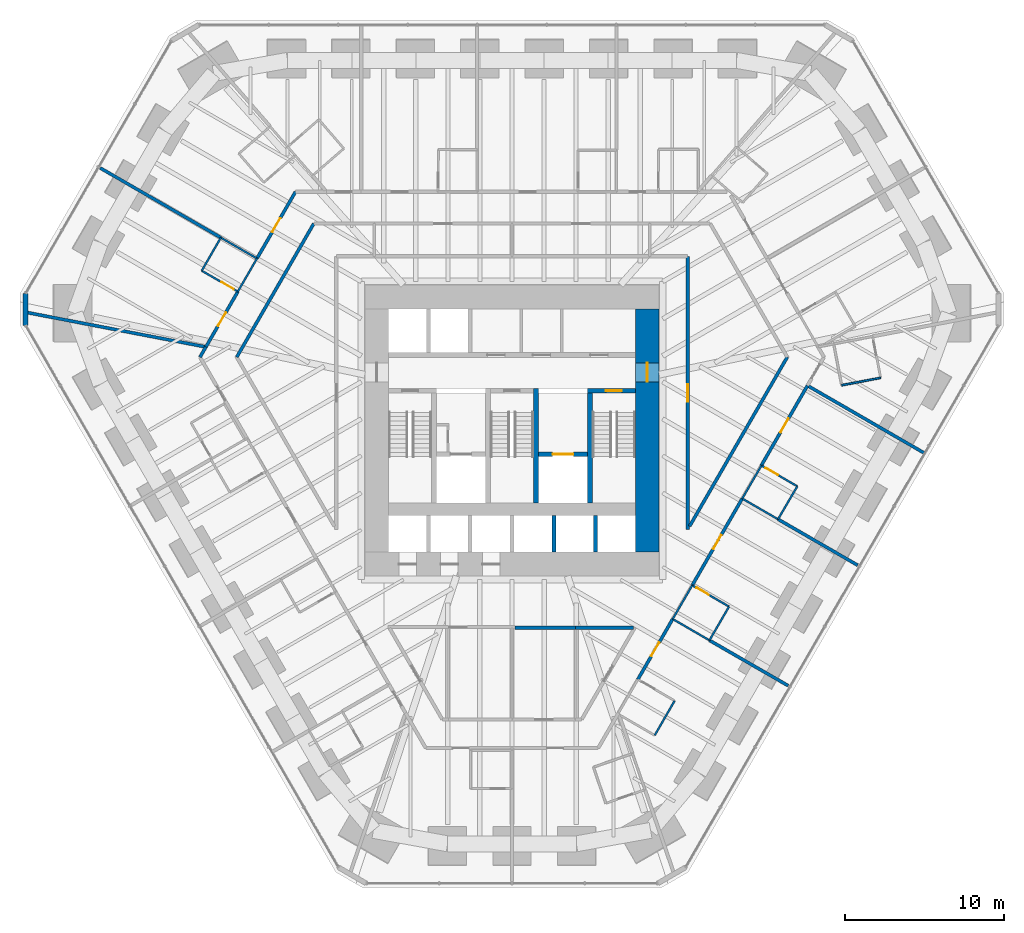
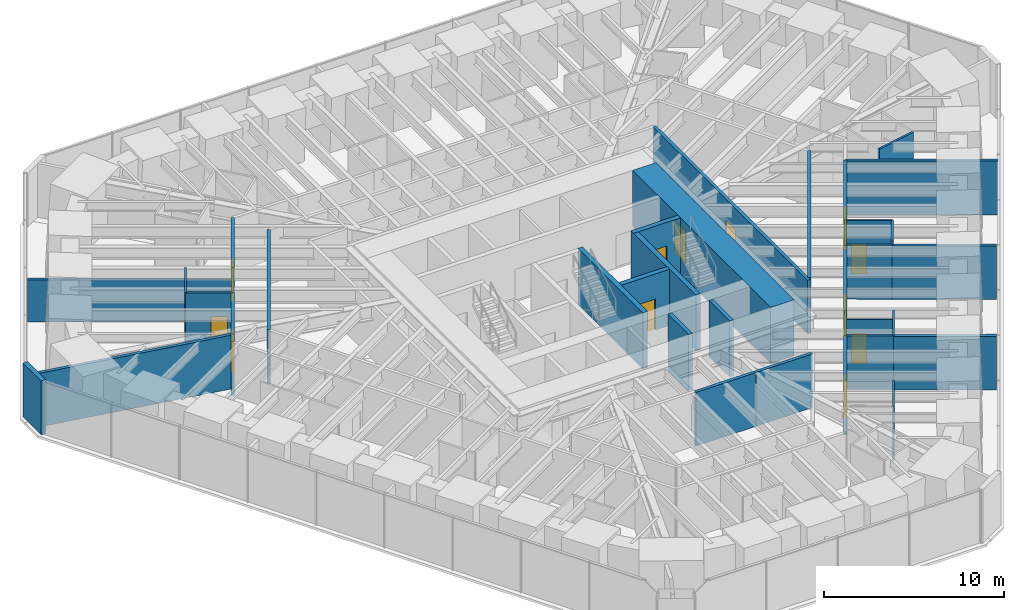
# One storey, part 13 of 17: 38 walls, 12 doors, 12 openings.
"""IFC4 building model written with IfcOpenShell, lengths in metres."""

from ifc_helpers import new_model, si_unit, direction, frame, frame_2d, origin, place, context, subcontext, project, spatial, rectangle, extrude, material, layer, layer_set, type_object, element, fill, save


model = new_model("IFC4")

# Units and contexts
model_context = context("Model", 3, precision=1e-05, world=origin(), true_north=direction((0.0, 1.0)))
body_context = subcontext(model_context, "Body", "Model", "MODEL_VIEW")
ifc_project = project(units=[si_unit("LENGTHUNIT", "METRE"), si_unit("AREAUNIT", "SQUARE_METRE"), si_unit("VOLUMEUNIT", "CUBIC_METRE"), si_unit("PLANEANGLEUNIT", "RADIAN"), si_unit("MASSUNIT", "GRAM", prefix="KILO")], contexts=[model_context])

# Site, building, storey
site_placement = place(None, origin())
site = spatial("IfcSite", under=ifc_project, at=site_placement, CompositionType="ELEMENT")
building_placement = place(site_placement, origin())
building = spatial("IfcBuilding", under=site, at=building_placement, Name="Sandreach Pilgrim Tower", CompositionType="ELEMENT")
storey_placement = place(building_placement, frame((0.0, 0.0, 80.0)))
storey = spatial("IfcBuildingStorey", under=building, at=storey_placement, Name="L19", CompositionType="ELEMENT", Elevation=80.0)

# Wall, opening, door
ifc_material_1 = material(Name="Moisture-resistant gypsum board on steel studs", Category="steel")
ifc_layer_1 = layer(ifc_material_1, 0.1201171875)
ifc_layer_set_1 = layer_set([ifc_layer_1], Name="Bathroom partition 120")
wall_type_1 = type_object("IfcWallType", Name="Bathroom partition 120", PredefinedType="PARTITIONING", material=ifc_layer_set_1)
wall_1_placement = place(storey_placement, frame((-19.5, 8.489990234375, 0.0), z_axis=(0.0, 0.0, 1.0), x_axis=(0.866114241029, -0.499846097802, 0.0)))
wall_1 = element("IfcWall", 1, at=wall_1_placement, inside=storey, type_object=wall_type_1, Name="Bathroom partition L19-009", PredefinedType="PARTITIONING", context=body_context, shape_type="SweptSolid", body=[
    extrude(rectangle(XDim=2.620849609375, YDim=0.1201171875, at=frame_2d((1.310546875, 0.0))), origin(), (0.0, 0.0, 1.0), 3.639892578125),
])
opening_1_placement = place(wall_1_placement, frame((1.4208984375, 0.0, 0.0)))
opening_1 = element("IfcOpeningElement", 2, at=opening_1_placement, cuts=wall_1, Name="Opening D09-17B", PredefinedType="OPENING", context=body_context, shape_type="SweptSolid", body=[
    extrude(rectangle(XDim=0.89990234375, YDim=2.030029296875, at=frame_2d((0.449951171875, 1.01513671875))), frame((0.0, 0.06005859375, 0.0), z_axis=(0.0, -1.0, 0.0), x_axis=(1.0, 0.0, 0.0)), (0.0, 0.0, 1.0), 0.1201171875),
])
ifc_material_2 = material(Name="Timber door, steel frame", Category="steel")
door_type_1 = type_object("IfcDoorType", Name="Bathroom door", OperationType="SINGLE_SWING_LEFT", PredefinedType="DOOR", material=ifc_material_2)
door_1_placement = place(opening_1_placement, origin())
door_1 = element("IfcDoor", 3, at=door_1_placement, inside=storey, type_object=door_type_1, Name="Door 1917B", OperationType="SINGLE_SWING_RIGHT", OverallHeight=2.030029296875, OverallWidth=0.89990234375, PredefinedType="DOOR", context=body_context, shape_type="SweptSolid", body=[
    extrude(rectangle(XDim=0.89990234375, YDim=2.030029296875, at=frame_2d((0.449951171875, 1.01513671875))), frame((0.0, 0.02490234375, 0.0), z_axis=(0.0, -1.0, 0.0), x_axis=(1.0, 0.0, 0.0)), (0.0, 0.0, 1.0), 0.050048828125),
])
fill(opening_1, door_1)

# Walls
wall_2_placement = place(storey_placement, frame((-18.300048828125, 10.570068359375, 0.0), z_axis=(0.0, 0.0, 1.0), x_axis=(-0.499693115345, -0.866202511239, 0.0)))
element("IfcWall", 4, at=wall_2_placement, inside=storey, type_object=wall_type_1, Name="Bathroom partition L19-013", PredefinedType="PARTITIONING", context=body_context, shape_type="SweptSolid", body=[
    extrude(rectangle(XDim=2.4013671875, YDim=0.1201171875, at=frame_2d((1.20068359375, 0.0))), origin(), (0.0, 0.0, 1.0), 3.639892578125),
])
wall_3_placement = place(storey_placement, frame((-18.300048828125, 10.570068359375, 0.0), z_axis=(0.0, 0.0, 1.0), x_axis=(0.866114241029, -0.499846097802, 0.0)))
element("IfcWall", 5, at=wall_3_placement, inside=storey, type_object=wall_type_1, Name="Bathroom partition L19-014", PredefinedType="PARTITIONING", context=body_context, shape_type="SweptSolid", body=[
    extrude(rectangle(XDim=2.620849609375, YDim=0.1201171875, at=frame_2d((1.310546875, 0.0))), origin(), (0.0, 0.0, 1.0), 2.860107421875),
])
wall_4_placement = place(storey_placement, frame((-17.22998046875, 7.179931640625, 0.0), z_axis=(0.0, 0.0, 1.0), x_axis=(0.500009943768, 0.866019662671, 0.0)))
element("IfcWall", 6, at=wall_4_placement, inside=storey, type_object=wall_type_1, Name="Bathroom partition L19-018", PredefinedType="PARTITIONING", context=body_context, shape_type="SweptSolid", body=[
    extrude(rectangle(XDim=2.4013671875, YDim=0.1201171875, at=frame_2d((1.20068359375, 0.0))), origin(), (0.0, 0.0, 1.0), 3.639892578125),
])
wall_5_placement = place(storey_placement, frame((8.969970703125, -20.7099609375, 0.0), z_axis=(0.0, 0.0, 1.0), x_axis=(0.499159685399, 0.866510016372, 0.0)))
element("IfcWall", 7, at=wall_5_placement, inside=storey, type_object=wall_type_1, Name="Bathroom partition L19-105", PredefinedType="PARTITIONING", context=body_context, shape_type="SweptSolid", body=[
    extrude(rectangle(XDim=2.504150390625, YDim=0.1201171875, at=frame_2d((1.251953125, 0.0))), origin(), (0.0, 0.0, 1.0), 3.639892578125),
])
wall_6_placement = place(storey_placement, frame((10.10009765625, -13.39990234375, 0.0), z_axis=(0.0, 0.0, 1.0), x_axis=(0.501856726365, 0.86495076519, 0.0)))
element("IfcWall", 8, at=wall_6_placement, inside=storey, type_object=wall_type_1, Name="Bathroom partition L19-108", PredefinedType="PARTITIONING", context=body_context, shape_type="SweptSolid", body=[
    extrude(rectangle(XDim=2.450927734375, YDim=0.1201171875, at=frame_2d((1.2255859375, 0.0))), origin(), (0.0, 0.0, 1.0), 3.639892578125),
])
wall_7_placement = place(storey_placement, frame((10.10009765625, -13.39990234375, 0.0), z_axis=(0.0, 0.0, 1.0), x_axis=(0.864966903181, -0.501828911485, 0.0)))
element("IfcWall", 9, at=wall_7_placement, inside=storey, type_object=wall_type_1, Name="Bathroom partition L19-109", PredefinedType="PARTITIONING", context=body_context, shape_type="SweptSolid", body=[
    extrude(rectangle(XDim=2.67041015625, YDim=0.1201171875, at=frame_2d((1.335205078125, 0.0))), origin(), (0.0, 0.0, 1.0), 3.639892578125),
])
wall_8_placement = place(storey_placement, frame((12.409912109375, -14.739990234375, 0.0), z_axis=(0.0, 0.0, 1.0), x_axis=(0.501813488763, 0.864975850817, 0.0)))
element("IfcWall", 10, at=wall_8_placement, inside=storey, type_object=wall_type_1, Name="Bathroom partition L19-118", PredefinedType="PARTITIONING", context=body_context, shape_type="SweptSolid", body=[
    extrude(rectangle(XDim=2.451171875, YDim=0.1201171875, at=frame_2d((1.2255859375, 0.0))), origin(), (0.0, 0.0, 1.0), 3.639892578125),
])

# Wall, opening, door
wall_9_placement = place(storey_placement, frame((13.639892578125, -12.6201171875, 0.0), z_axis=(0.0, 0.0, 1.0), x_axis=(-0.864966903181, 0.501828911485, 0.0)))
wall_9 = element("IfcWall", 11, at=wall_9_placement, inside=storey, type_object=wall_type_1, Name="Bathroom partition L19-123", PredefinedType="PARTITIONING", context=body_context, shape_type="SweptSolid", body=[
    extrude(rectangle(XDim=2.67041015625, YDim=0.1201171875, at=frame_2d((1.335205078125, 0.0))), origin(), (0.0, 0.0, 1.0), 3.0380859375),
])
opening_2_placement = place(wall_9_placement, frame((1.470458984375, 0.0, 0.0)))
opening_2 = element("IfcOpeningElement", 12, at=opening_2_placement, cuts=wall_9, Name="Opening D09-09B", PredefinedType="OPENING", context=body_context, shape_type="SweptSolid", body=[
    extrude(rectangle(XDim=0.89990234375, YDim=2.030029296875, at=frame_2d((0.449951171875, 1.01513671875))), frame((0.0, 0.06005859375, 0.0), z_axis=(0.0, -1.0, 0.0), x_axis=(1.0, 0.0, 0.0)), (0.0, 0.0, 1.0), 0.1201171875),
])
door_2_placement = place(opening_2_placement, origin())
door_2 = element("IfcDoor", 13, at=door_2_placement, inside=storey, type_object=door_type_1, Name="Door 1909B", OperationType="SINGLE_SWING_RIGHT", OverallHeight=2.030029296875, OverallWidth=0.89990234375, PredefinedType="DOOR", context=body_context, shape_type="SweptSolid", body=[
    extrude(rectangle(XDim=0.89990234375, YDim=2.030029296875, at=frame_2d((0.449951171875, 1.01513671875))), frame((0.0, 0.02490234375, 0.0), z_axis=(0.0, -1.0, 0.0), x_axis=(1.0, 0.0, 0.0)), (0.0, 0.0, 1.0), 0.050048828125),
])
fill(opening_2, door_2)

# Walls
wall_10_placement = place(storey_placement, frame((14.469970703125, -5.830078125, 0.0), z_axis=(0.0, 0.0, 1.0), x_axis=(0.865856933682, -0.500291685314, 0.0)))
element("IfcWall", 14, at=wall_10_placement, inside=storey, type_object=wall_type_1, Name="Bathroom partition L19-126", PredefinedType="PARTITIONING", context=body_context, shape_type="SweptSolid", body=[
    extrude(rectangle(XDim=2.5986328125, YDim=0.1201171875, at=frame_2d((1.29931640625, 0.0))), origin(), (0.0, 0.0, 1.0), 3.639892578125),
])
wall_11_placement = place(storey_placement, frame((15.679931640625, -3.75, 0.0), z_axis=(0.0, 0.0, 1.0), x_axis=(-0.502810888564, -0.864396442809, 0.0)))
element("IfcWall", 15, at=wall_11_placement, inside=storey, type_object=wall_type_1, Name="Bathroom partition L19-129", PredefinedType="PARTITIONING", context=body_context, shape_type="SweptSolid", body=[
    extrude(rectangle(XDim=2.406494140625, YDim=0.1201171875, at=frame_2d((1.203125, 0.0))), origin(), (0.0, 0.0, 1.0), 3.639892578125),
])
wall_12_placement = place(storey_placement, frame((16.719970703125, -7.1298828125, 0.0), z_axis=(0.0, 0.0, 1.0), x_axis=(0.504668565454, 0.863313175529, 0.0)))
element("IfcWall", 16, at=wall_12_placement, inside=storey, type_object=wall_type_1, Name="Bathroom partition L19-132", PredefinedType="PARTITIONING", context=body_context, shape_type="SweptSolid", body=[
    extrude(rectangle(XDim=2.3974609375, YDim=0.1201171875, at=frame_2d((1.19873046875, 0.0))), origin(), (0.0, 0.0, 1.0), 3.639892578125),
])

# Wall, opening, door
wall_13_placement = place(storey_placement, frame((17.929931640625, -5.06005859375, 0.0), z_axis=(0.0, 0.0, 1.0), x_axis=(-0.864186736834, 0.503171227198, 0.0)))
wall_13 = element("IfcWall", 17, at=wall_13_placement, inside=storey, type_object=wall_type_1, Name="Bathroom partition L19-136", PredefinedType="PARTITIONING", context=body_context, shape_type="SweptSolid", body=[
    extrude(rectangle(XDim=2.603515625, YDim=0.1201171875, at=frame_2d((1.3017578125, 0.0))), origin(), (0.0, 0.0, 1.0), 3.639892578125),
])
opening_3_placement = place(wall_13_placement, frame((1.403564453125, 0.0, 0.0)))
opening_3 = element("IfcOpeningElement", 18, at=opening_3_placement, cuts=wall_13, Name="Opening D09-08B", PredefinedType="OPENING", context=body_context, shape_type="SweptSolid", body=[
    extrude(rectangle(XDim=0.89990234375, YDim=2.030029296875, at=frame_2d((0.449951171875, 1.01513671875))), frame((0.0, 0.06005859375, 0.0), z_axis=(0.0, -1.0, 0.0), x_axis=(1.0, 0.0, 0.0)), (0.0, 0.0, 1.0), 0.1201171875),
])
door_3_placement = place(opening_3_placement, origin())
door_3 = element("IfcDoor", 19, at=door_3_placement, inside=storey, type_object=door_type_1, Name="Door 1908B", OperationType="SINGLE_SWING_RIGHT", OverallHeight=2.030029296875, OverallWidth=0.89990234375, PredefinedType="DOOR", context=body_context, shape_type="SweptSolid", body=[
    extrude(rectangle(XDim=0.89990234375, YDim=2.030029296875, at=frame_2d((0.449951171875, 1.01513671875))), frame((0.0, 0.02490234375, 0.0), z_axis=(0.0, -1.0, 0.0), x_axis=(1.0, 0.0, 0.0)), (0.0, 0.0, 1.0), 0.050048828125),
])
fill(opening_3, door_3)

# Walls
wall_14_placement = place(storey_placement, frame((20.719970703125, 1.2900390625, 0.0), z_axis=(0.0, 0.0, 1.0), x_axis=(0.9820935986, 0.188393639991, 0.0)))
element("IfcWall", 20, at=wall_14_placement, inside=storey, type_object=wall_type_1, Name="Bathroom partition L19-145", PredefinedType="PARTITIONING", context=body_context, shape_type="SweptSolid", body=[
    extrude(rectangle(XDim=2.49462890625, YDim=0.1201171875, at=frame_2d((1.247314453125, 0.0))), origin(), (0.0, 0.0, 1.0), 3.639892578125),
])
ifc_material_3 = material(Name="Concrete 10000 psi", Category="concrete")
ifc_layer_2 = layer(ifc_material_3, 0.300048828125)
ifc_layer_set_2 = layer_set([ifc_layer_2], Name="Core inner wall 300")
wall_type_2 = type_object("IfcWallType", Name="Core inner wall 300", PredefinedType="SHEAR", material=ifc_layer_set_2)
for number, where, z_axis, x_axis, name in (
    (21, (1.5, -6.10009765625, 0.0), (0.0, 0.0, 1.0), (0.0, 1.0, 0.0), "Core wall I2 L19"),
    (22, (4.89990234375, -6.10009765625, 0.0), (0.0, 0.0, 1.0), (0.0, 1.0, 0.0), "Core wall I3 L19"),
):
    element("IfcWall", number, at=place(storey_placement, frame(where, z_axis=z_axis, x_axis=x_axis)), inside=storey, type_object=wall_type_2, Name=name, PredefinedType="SHEAR", context=body_context, shape_type="SweptSolid", body=[
        extrude(rectangle(XDim=7.2001953125, YDim=0.300048828125, at=frame_2d((3.60009765625, 0.0))), origin(), (0.0, 0.0, 1.0), 3.800048828125),
    ])

# Wall, opening, door
wall_15_placement = place(storey_placement, frame((4.75, 0.949951171875, 0.0), z_axis=(0.0, 0.0, 1.0), x_axis=(1.0, 0.0, 0.0)))
wall_15 = element("IfcWall", 23, at=wall_15_placement, inside=storey, type_object=wall_type_2, Name="Core wall SN2 L19", PredefinedType="SHEAR", context=body_context, shape_type="SweptSolid", body=[
    extrude(rectangle(XDim=3.0, YDim=0.300048828125, at=frame_2d((1.5, 0.0))), origin(), (0.0, 0.0, 1.0), 3.800048828125),
])
opening_4_placement = place(wall_15_placement, frame((1.14990234375, 0.0, 0.0)))
opening_4 = element("IfcOpeningElement", 24, at=opening_4_placement, cuts=wall_15, Name="Opening D10S-ST2", PredefinedType="OPENING", context=body_context, shape_type="SweptSolid", body=[
    extrude(rectangle(XDim=1.0, YDim=2.199951171875, at=frame_2d((0.5, 1.10009765625))), frame((0.0, 0.14990234375, 0.0), z_axis=(0.0, -1.0, 0.0), x_axis=(1.0, 0.0, 0.0)), (0.0, 0.0, 1.0), 0.300048828125),
])
ifc_material_4 = material(Name="Steel door and frame", Category="steel")
door_type_2 = type_object("IfcDoorType", Name="Stair door", OperationType="SINGLE_SWING_LEFT", PredefinedType="DOOR", material=ifc_material_4)
door_4_placement = place(opening_4_placement, origin())
door_4 = element("IfcDoor", 25, at=door_4_placement, inside=storey, type_object=door_type_2, Name="Stair door ST2 L19", OperationType="SINGLE_SWING_RIGHT", OverallHeight=2.199951171875, OverallWidth=1.0, PredefinedType="DOOR", context=body_context, shape_type="SweptSolid", body=[
    extrude(rectangle(XDim=1.0, YDim=2.199951171875, at=frame_2d((0.5, 1.10009765625))), frame((0.0, 0.02490234375, 0.0), z_axis=(0.0, -1.0, 0.0), x_axis=(1.0, 0.0, 0.0)), (0.0, 0.0, 1.0), 0.050048828125),
])
fill(opening_4, door_4)

wall_16_placement = place(storey_placement, frame((1.64990234375, -3.050048828125, 0.0), z_axis=(0.0, 0.0, 1.0), x_axis=(1.0, 0.0, 0.0)))
wall_16 = element("IfcWall", 26, at=wall_16_placement, inside=storey, type_object=wall_type_2, Name="Core wall FL2 L19", PredefinedType="SHEAR", context=body_context, shape_type="SweptSolid", body=[
    extrude(rectangle(XDim=3.10009765625, YDim=0.300048828125, at=frame_2d((1.550048828125, 0.0))), origin(), (0.0, 0.0, 1.0), 3.800048828125),
])
opening_5_placement = place(wall_16_placement, frame((0.89990234375, 0.0, 0.0)))
opening_5 = element("IfcOpeningElement", 27, at=opening_5_placement, cuts=wall_16, Name="Opening LD13", PredefinedType="OPENING", context=body_context, shape_type="SweptSolid", body=[
    extrude(rectangle(XDim=1.300048828125, YDim=2.10009765625, at=frame_2d((0.64990234375, 1.050048828125))), frame((0.0, 0.14990234375, 0.0), z_axis=(0.0, -1.0, 0.0), x_axis=(1.0, 0.0, 0.0)), (0.0, 0.0, 1.0), 0.300048828125),
])
ifc_material_5 = material(Name="Steel door and frame", Category="steel")
door_type_3 = type_object("IfcDoorType", Name="Fire service lift landing door", OperationType="DOUBLE_DOOR_SLIDING", PredefinedType="DOOR", material=ifc_material_5)
door_5_placement = place(opening_5_placement, origin())
door_5 = element("IfcDoor", 28, at=door_5_placement, inside=storey, type_object=door_type_3, Name="Lift landing door FS2 L19", OperationType="DOUBLE_DOOR_SLIDING", OverallHeight=2.10009765625, OverallWidth=1.300048828125, PredefinedType="DOOR", context=body_context, shape_type="SweptSolid", body=[
    extrude(rectangle(XDim=1.300048828125, YDim=2.10009765625, at=frame_2d((0.64990234375, 1.050048828125))), frame((0.0, 0.02490234375, 0.0), z_axis=(0.0, -1.0, 0.0), x_axis=(1.0, 0.0, 0.0)), (0.0, 0.0, 1.0), 0.050048828125),
])
fill(opening_5, door_5)

ifc_material_6 = material(Name="Concrete 10000 psi", Category="concrete")
ifc_layer_3 = layer(ifc_material_6, 1.5)
ifc_layer_set_3 = layer_set([ifc_layer_3], Name="Core wall 1500")
wall_type_3 = type_object("IfcWallType", Name="Core wall 1500", PredefinedType="SHEAR", material=ifc_layer_set_3)
wall_17_placement = place(storey_placement, frame((8.5, -9.199951171875, 0.0), z_axis=(0.0, 0.0, 1.0), x_axis=(0.0, 1.0, 0.0)))
wall_17 = element("IfcWall", 29, at=wall_17_placement, inside=storey, type_object=wall_type_3, Name="Core wall E L19", PredefinedType="SHEAR", context=body_context, shape_type="SweptSolid", body=[
    extrude(rectangle(XDim=15.300048828125, YDim=1.5, at=frame_2d((7.64990234375, 0.0))), origin(), (0.0, 0.0, 1.0), 3.800048828125),
])
opening_6_placement = place(wall_17_placement, frame((10.699951171875, 0.0, 0.0)))
opening_6 = element("IfcOpeningElement", 30, at=opening_6_placement, cuts=wall_17, Name="Opening D12F-E", PredefinedType="OPENING", context=body_context, shape_type="SweptSolid", body=[
    extrude(rectangle(XDim=1.199951171875, YDim=2.199951171875, at=frame_2d((0.60009765625, 1.10009765625))), frame((0.0, 0.75, 0.0), z_axis=(0.0, -1.0, 0.0), x_axis=(1.0, 0.0, 0.0)), (0.0, 0.0, 1.0), 1.5),
])
ifc_material_7 = material(Name="Steel door and frame", Category="steel")
door_type_4 = type_object("IfcDoorType", Name="Fire lobby door", OperationType="SINGLE_SWING_LEFT", PredefinedType="DOOR", material=ifc_material_7)
door_6_placement = place(opening_6_placement, origin())
door_6 = element("IfcDoor", 31, at=door_6_placement, inside=storey, type_object=door_type_4, Name="Fire service lobby door E L19", OperationType="SINGLE_SWING_RIGHT", OverallHeight=2.199951171875, OverallWidth=1.199951171875, PredefinedType="DOOR", context=body_context, shape_type="SweptSolid", body=[
    extrude(rectangle(XDim=1.199951171875, YDim=2.199951171875, at=frame_2d((0.60009765625, 1.10009765625))), frame((0.0, 0.02490234375, 0.0), z_axis=(0.0, -1.0, 0.0), x_axis=(1.0, 0.0, 0.0)), (0.0, 0.0, 1.0), 0.050048828125),
])
fill(opening_6, door_6)

# Wall
ifc_material_8 = material(Name="Gypsum board on steel studs, two layers each side", Category="steel")
ifc_layer_4 = layer(ifc_material_8, 0.199951171875)
ifc_layer_set_4 = layer_set([ifc_layer_4], Name="Corridor wall 200")
wall_type_4 = type_object("IfcWallType", Name="Corridor wall 200", PredefinedType="PARTITIONING", material=ifc_layer_set_4)
wall_18_placement = place(storey_placement, frame((-19.610107421875, 3.06005859375, 0.0), z_axis=(0.0, 0.0, 1.0), x_axis=(0.50068472101, 0.865629718844, 0.0)))
element("IfcWall", 32, at=wall_18_placement, inside=storey, type_object=wall_type_4, Name="Corridor wall L19-006", PredefinedType="PARTITIONING", context=body_context, shape_type="SweptSolid", body=[
    extrude(rectangle(XDim=0.7392578125, YDim=0.199951171875, at=frame_2d((0.36962890625, 0.0))), origin(), (0.0, 0.0, 1.0), 3.639892578125),
])

# Wall, opening, door
wall_19_placement = place(storey_placement, frame((-19.239990234375, 3.699951171875, 0.0), z_axis=(0.0, 0.0, 1.0), x_axis=(0.500157149565, 0.865934654428, 0.0)))
wall_19 = element("IfcWall", 33, at=wall_19_placement, inside=storey, type_object=wall_type_4, Name="Corridor wall L19-010", PredefinedType="PARTITIONING", context=body_context, shape_type="SweptSolid", body=[
    extrude(rectangle(XDim=4.018798828125, YDim=0.199951171875, at=frame_2d((2.00927734375, 0.0))), origin(), (0.0, 0.0, 1.0), 3.639892578125),
])
opening_7_placement = place(wall_19_placement, frame((1.509521484375, 0.0, 0.0)))
opening_7 = element("IfcOpeningElement", 34, at=opening_7_placement, cuts=wall_19, Name="Opening D10-17", PredefinedType="OPENING", context=body_context, shape_type="SweptSolid", body=[
    extrude(rectangle(XDim=1.0, YDim=2.1298828125, at=frame_2d((0.5, 1.06494140625))), frame((0.0, 0.10009765625, 0.0), z_axis=(0.0, -1.0, 0.0), x_axis=(1.0, 0.0, 0.0)), (0.0, 0.0, 1.0), 0.199951171875),
])
ifc_material_9 = material(Name="Steel door and frame", Category="steel")
door_type_5 = type_object("IfcDoorType", Name="Guest room entry door", OperationType="SINGLE_SWING_LEFT", PredefinedType="DOOR", material=ifc_material_9)
door_7_placement = place(opening_7_placement, origin())
door_7 = element("IfcDoor", 35, at=door_7_placement, inside=storey, type_object=door_type_5, Name="Door 1917", OperationType="SINGLE_SWING_LEFT", OverallHeight=2.1298828125, OverallWidth=1.0, PredefinedType="DOOR", context=body_context, shape_type="SweptSolid", body=[
    extrude(rectangle(XDim=1.0, YDim=2.1298828125, at=frame_2d((0.5, 1.06494140625))), frame((0.0, 0.02490234375, 0.0), z_axis=(0.0, -1.0, 0.0), x_axis=(1.0, 0.0, 0.0)), (0.0, 0.0, 1.0), 0.050048828125),
])
fill(opening_7, door_7)

# Wall
wall_20_placement = place(storey_placement, frame((-17.300048828125, 3.06005859375, 0.0), z_axis=(0.0, 0.0, 1.0), x_axis=(0.499704269421, 0.866196076603, 0.0)))
element("IfcWall", 36, at=wall_20_placement, inside=storey, type_object=wall_type_4, Name="Corridor wall L19-017", PredefinedType="PARTITIONING", context=body_context, shape_type="SweptSolid", body=[
    extrude(rectangle(XDim=9.685791015625, YDim=0.199951171875, at=frame_2d((4.8427734375, 0.0))), origin(), (0.0, 0.0, 1.0), 3.639892578125),
])

# Wall, opening, door
wall_21_placement = place(storey_placement, frame((-16.029296875, 9.259521484375, 0.0), z_axis=(0.0, 0.0, 1.0), x_axis=(0.499975779801, 0.866039386871, 0.0)))
wall_21 = element("IfcWall", 37, at=wall_21_placement, inside=storey, type_object=wall_type_4, Name="Corridor wall L19-023", PredefinedType="PARTITIONING", context=body_context, shape_type="SweptSolid", body=[
    extrude(rectangle(XDim=4.838623046875, YDim=0.199951171875, at=frame_2d((2.41943359375, 0.0))), origin(), (0.0, 0.0, 1.0), 3.639892578125),
])
opening_8_placement = place(wall_21_placement, frame((1.919189453125, 0.0, 0.0)))
opening_8 = element("IfcOpeningElement", 38, at=opening_8_placement, cuts=wall_21, Name="Opening D10-18", PredefinedType="OPENING", context=body_context, shape_type="SweptSolid", body=[
    extrude(rectangle(XDim=1.0, YDim=2.1298828125, at=frame_2d((0.5, 1.06494140625))), frame((0.0, 0.10009765625, 0.0), z_axis=(0.0, -1.0, 0.0), x_axis=(1.0, 0.0, 0.0)), (0.0, 0.0, 1.0), 0.199951171875),
])
door_8_placement = place(opening_8_placement, origin())
door_8 = element("IfcDoor", 39, at=door_8_placement, inside=storey, type_object=door_type_5, Name="Door 1918", OperationType="SINGLE_SWING_LEFT", OverallHeight=2.1298828125, OverallWidth=1.0, PredefinedType="DOOR", context=body_context, shape_type="SweptSolid", body=[
    extrude(rectangle(XDim=1.0, YDim=2.1298828125, at=frame_2d((0.5, 1.06494140625))), frame((0.0, 0.02490234375, 0.0), z_axis=(0.0, -1.0, 0.0), x_axis=(1.0, 0.0, 0.0)), (0.0, 0.0, 1.0), 0.050048828125),
])
fill(opening_8, door_8)

# Walls
wall_22_placement = place(storey_placement, frame((0.179931640625, -13.949951171875, 0.0), z_axis=(0.0, 0.0, 1.0), x_axis=(1.0, 0.0, 0.0)))
element("IfcWall", 40, at=wall_22_placement, inside=storey, type_object=wall_type_4, Name="Corridor wall L19-079", PredefinedType="PARTITIONING", context=body_context, shape_type="SweptSolid", body=[
    extrude(rectangle(XDim=3.820068359375, YDim=0.199951171875, at=frame_2d((1.91015625, 0.0))), origin(), (0.0, 0.0, 1.0), 3.639892578125),
])
wall_23_placement = place(storey_placement, frame((4.0, -13.949951171875, 0.0), z_axis=(0.0, 0.0, 1.0), x_axis=(1.0, 0.0, 0.0)))
element("IfcWall", 41, at=wall_23_placement, inside=storey, type_object=wall_type_4, Name="Corridor wall L19-083", PredefinedType="PARTITIONING", context=body_context, shape_type="SweptSolid", body=[
    extrude(rectangle(XDim=3.635009765625, YDim=0.199951171875, at=frame_2d((1.8173828125, 0.0))), origin(), (0.0, 0.0, 1.0), 3.639892578125),
])

# Wall, opening, door
wall_24_placement = place(storey_placement, frame((7.9091796875, -17.199462890625, 0.0), z_axis=(0.0, 0.0, 1.0), x_axis=(0.499528080516, 0.866297695239, 0.0)))
wall_24 = element("IfcWall", 42, at=wall_24_placement, inside=storey, type_object=wall_type_4, Name="Corridor wall L19-100", PredefinedType="PARTITIONING", context=body_context, shape_type="SweptSolid", body=[
    extrude(rectangle(XDim=4.385986328125, YDim=0.199951171875, at=frame_2d((2.19287109375, 0.0))), origin(), (0.0, 0.0, 1.0), 3.639892578125),
])
opening_9_placement = place(wall_24_placement, frame((1.69287109375, 0.0, 0.0)))
opening_9 = element("IfcOpeningElement", 43, at=opening_9_placement, cuts=wall_24, Name="Opening D10-10", PredefinedType="OPENING", context=body_context, shape_type="SweptSolid", body=[
    extrude(rectangle(XDim=1.0, YDim=2.1298828125, at=frame_2d((0.5, 1.06494140625))), frame((0.0, 0.10009765625, 0.0), z_axis=(0.0, -1.0, 0.0), x_axis=(1.0, 0.0, 0.0)), (0.0, 0.0, 1.0), 0.199951171875),
])
door_9_placement = place(opening_9_placement, origin())
door_9 = element("IfcDoor", 44, at=door_9_placement, inside=storey, type_object=door_type_5, Name="Door 1910", OperationType="SINGLE_SWING_LEFT", OverallHeight=2.1298828125, OverallWidth=1.0, PredefinedType="DOOR", context=body_context, shape_type="SweptSolid", body=[
    extrude(rectangle(XDim=1.0, YDim=2.1298828125, at=frame_2d((0.5, 1.06494140625))), frame((0.0, 0.02490234375, 0.0), z_axis=(0.0, -1.0, 0.0), x_axis=(1.0, 0.0, 0.0)), (0.0, 0.0, 1.0), 0.050048828125),
])
fill(opening_9, door_9)

wall_25_placement = place(storey_placement, frame((11.050048828125, -7.760009765625, 0.0), z_axis=(0.0, 0.0, 1.0), x_axis=(0.0, 1.0, 0.0)))
wall_25 = element("IfcWall", 45, at=wall_25_placement, inside=storey, type_object=wall_type_4, Name="Corridor wall L19-112", PredefinedType="PARTITIONING", context=body_context, shape_type="SweptSolid", body=[
    extrude(rectangle(XDim=17.159912109375, YDim=0.199951171875, at=frame_2d((8.580078125, 0.0))), origin(), (0.0, 0.0, 1.0), 3.639892578125),
])
opening_10_placement = place(wall_25_placement, frame((8.030029296875, 0.0, 0.0)))
opening_10 = element("IfcOpeningElement", 46, at=opening_10_placement, cuts=wall_25, Name="Opening D11H-M04", PredefinedType="OPENING", context=body_context, shape_type="SweptSolid", body=[
    extrude(rectangle(XDim=1.10009765625, YDim=2.199951171875, at=frame_2d((0.550048828125, 1.10009765625))), frame((0.0, 0.10009765625, 0.0), z_axis=(0.0, -1.0, 0.0), x_axis=(1.0, 0.0, 0.0)), (0.0, 0.0, 1.0), 0.199951171875),
])
ifc_material_10 = material(Name="Steel door and frame", Category="steel")
door_type_6 = type_object("IfcDoorType", Name="Back of house door", OperationType="SINGLE_SWING_LEFT", PredefinedType="DOOR", material=ifc_material_10)
door_10_placement = place(opening_10_placement, origin())
door_10 = element("IfcDoor", 47, at=door_10_placement, inside=storey, type_object=door_type_6, Name="Door 19M04", OperationType="SINGLE_SWING_LEFT", OverallHeight=2.199951171875, OverallWidth=1.10009765625, PredefinedType="DOOR", context=body_context, shape_type="SweptSolid", body=[
    extrude(rectangle(XDim=1.10009765625, YDim=2.199951171875, at=frame_2d((0.550048828125, 1.10009765625))), frame((0.0, 0.02490234375, 0.0), z_axis=(0.0, -1.0, 0.0), x_axis=(1.0, 0.0, 0.0)), (0.0, 0.0, 1.0), 0.050048828125),
])
fill(opening_10, door_10)

wall_26_placement = place(storey_placement, frame((11.32861328125, -11.279296875, 0.0), z_axis=(0.0, 0.0, 1.0), x_axis=(0.499433445148, 0.86635225738, 0.0)))
wall_26 = element("IfcWall", 48, at=wall_26_placement, inside=storey, type_object=wall_type_4, Name="Corridor wall L19-113", PredefinedType="PARTITIONING", context=body_context, shape_type="SweptSolid", body=[
    extrude(rectangle(XDim=6.289794921875, YDim=0.199951171875, at=frame_2d((3.14501953125, 0.0))), origin(), (0.0, 0.0, 1.0), 3.639892578125),
])
opening_11_placement = place(wall_26_placement, frame((2.64501953125, 0.0, 0.0)))
opening_11 = element("IfcOpeningElement", 49, at=opening_11_placement, cuts=wall_26, Name="Opening D10-09", PredefinedType="OPENING", context=body_context, shape_type="SweptSolid", body=[
    extrude(rectangle(XDim=1.0, YDim=2.1298828125, at=frame_2d((0.5, 1.06494140625))), frame((0.0, 0.10009765625, 0.0), z_axis=(0.0, -1.0, 0.0), x_axis=(1.0, 0.0, 0.0)), (0.0, 0.0, 1.0), 0.199951171875),
])
door_11_placement = place(opening_11_placement, origin())
door_11 = element("IfcDoor", 50, at=door_11_placement, inside=storey, type_object=door_type_5, Name="Door 1909", OperationType="SINGLE_SWING_LEFT", OverallHeight=2.1298828125, OverallWidth=1.0, PredefinedType="DOOR", context=body_context, shape_type="SweptSolid", body=[
    extrude(rectangle(XDim=1.0, YDim=2.1298828125, at=frame_2d((0.5, 1.06494140625))), frame((0.0, 0.02490234375, 0.0), z_axis=(0.0, -1.0, 0.0), x_axis=(1.0, 0.0, 0.0)), (0.0, 0.0, 1.0), 0.050048828125),
])
fill(opening_11, door_11)

wall_27_placement = place(storey_placement, frame((15.669921875, -3.75, 0.0), z_axis=(0.0, 0.0, 1.0), x_axis=(0.500237606619, 0.865888178071, 0.0)))
wall_27 = element("IfcWall", 51, at=wall_27_placement, inside=storey, type_object=wall_type_4, Name="Corridor wall L19-128", PredefinedType="PARTITIONING", context=body_context, shape_type="SweptSolid", body=[
    extrude(rectangle(XDim=5.797607421875, YDim=0.199951171875, at=frame_2d((2.89892578125, 0.0))), origin(), (0.0, 0.0, 1.0), 3.639892578125),
])
opening_12_placement = place(wall_27_placement, frame((2.398681640625, 0.0, 0.0)))
opening_12 = element("IfcOpeningElement", 52, at=opening_12_placement, cuts=wall_27, Name="Opening D10-08", PredefinedType="OPENING", context=body_context, shape_type="SweptSolid", body=[
    extrude(rectangle(XDim=1.0, YDim=2.1298828125, at=frame_2d((0.5, 1.06494140625))), frame((0.0, 0.10009765625, 0.0), z_axis=(0.0, -1.0, 0.0), x_axis=(1.0, 0.0, 0.0)), (0.0, 0.0, 1.0), 0.199951171875),
])
door_12_placement = place(opening_12_placement, origin())
door_12 = element("IfcDoor", 53, at=door_12_placement, inside=storey, type_object=door_type_5, Name="Door 1908", OperationType="SINGLE_SWING_LEFT", OverallHeight=2.1298828125, OverallWidth=1.0, PredefinedType="DOOR", context=body_context, shape_type="SweptSolid", body=[
    extrude(rectangle(XDim=1.0, YDim=2.1298828125, at=frame_2d((0.5, 1.06494140625))), frame((0.0, 0.02490234375, 0.0), z_axis=(0.0, -1.0, 0.0), x_axis=(1.0, 0.0, 0.0)), (0.0, 0.0, 1.0), 0.050048828125),
])
fill(opening_12, door_12)

# Walls
wall_28_placement = place(storey_placement, frame((17.300048828125, 3.06005859375, 0.0), z_axis=(0.0, 0.0, 1.0), x_axis=(-0.500175206663, -0.865924224537, 0.0)))
element("IfcWall", 54, at=wall_28_placement, inside=storey, type_object=wall_type_4, Name="Corridor wall L19-134", PredefinedType="PARTITIONING", context=body_context, shape_type="SweptSolid", body=[
    extrude(rectangle(XDim=12.275390625, YDim=0.199951171875, at=frame_2d((6.1376953125, 0.0))), origin(), (0.0, 0.0, 1.0), 3.639892578125),
])
ifc_material_11 = material(Name="Double steel stud acoustic wall, gypsum board", Category="steel")
ifc_layer_5 = layer(ifc_material_11, 0.199951171875)
ifc_layer_set_5 = layer_set([ifc_layer_5], Name="Party wall 200")
wall_type_5 = type_object("IfcWallType", Name="Party wall 200", PredefinedType="PARTITIONING", material=ifc_layer_set_5)
wall_29_placement = place(storey_placement, frame((-30.590576171875, 5.88427734375, 0.0), z_axis=(0.0, 0.0, 1.0), x_axis=(0.981983289605, -0.188967772219, 0.0)))
element("IfcWall", 55, at=wall_29_placement, inside=storey, type_object=wall_type_5, Name="Party wall L19-001", PredefinedType="PARTITIONING", context=body_context, shape_type="SweptSolid", body=[
    extrude(rectangle(XDim=11.5087890625, YDim=0.199951171875, at=frame_2d((5.75439453125, 0.0))), origin(), (0.0, 0.0, 1.0), 3.639892578125),
])
wall_30_placement = place(storey_placement, frame((-25.885986328125, 14.949951171875, 0.0), z_axis=(0.0, 0.0, 1.0), x_axis=(0.866018495177, -0.500011965869, 0.0)))
element("IfcWall", 56, at=wall_30_placement, inside=storey, type_object=wall_type_5, Name="Party wall L19-002", PredefinedType="PARTITIONING", context=body_context, shape_type="SweptSolid", body=[
    extrude(rectangle(XDim=8.759521484375, YDim=0.199951171875, at=frame_2d((4.3798828125, 0.0))), origin(), (0.0, 0.0, 1.0), 2.860107421875),
])
wall_31_placement = place(storey_placement, frame((16.719970703125, -7.1298828125, 0.0), z_axis=(0.0, 0.0, 1.0), x_axis=(0.866035778077, -0.499982030767, 0.0)))
element("IfcWall", 57, at=wall_31_placement, inside=storey, type_object=wall_type_5, Name="Party wall L19-133", PredefinedType="PARTITIONING", context=body_context, shape_type="SweptSolid", body=[
    extrude(rectangle(XDim=5.780517578125, YDim=0.199951171875, at=frame_2d((2.89013671875, 0.0))), origin(), (0.0, 0.0, 1.0), 3.639892578125),
])
wall_32_placement = place(storey_placement, frame((17.35595703125, -17.590087890625, 0.0), z_axis=(0.0, 0.0, 1.0), x_axis=(-0.866442508333, 0.499276856818, 0.0)))
element("IfcWall", 58, at=wall_32_placement, inside=storey, type_object=wall_type_5, Name="Party wall L19-135", PredefinedType="PARTITIONING", context=body_context, shape_type="SweptSolid", body=[
    extrude(rectangle(XDim=5.70849609375, YDim=0.199951171875, at=frame_2d((2.854248046875, 0.0))), origin(), (0.0, 0.0, 1.0), 3.639892578125),
])
wall_33_placement = place(storey_placement, frame((25.904052734375, -2.965087890625, 0.0), z_axis=(0.0, 0.0, 1.0), x_axis=(-0.865987918257, 0.500064921217, 0.0)))
element("IfcWall", 59, at=wall_33_placement, inside=storey, type_object=wall_type_5, Name="Party wall L19-150", PredefinedType="PARTITIONING", context=body_context, shape_type="SweptSolid", body=[
    extrude(rectangle(XDim=8.4541015625, YDim=0.199951171875, at=frame_2d((4.22705078125, 0.0))), origin(), (0.0, 0.0, 1.0), 3.639892578125),
])
ifc_material_12 = material(Name="Gypsum shaft wall on steel studs, two layers of shaft liner board", Category="steel")
ifc_layer_6 = layer(ifc_material_12, 0.25)
ifc_layer_set_6 = layer_set([ifc_layer_6], Name="Shaft partition 250")
wall_type_6 = type_object("IfcWallType", Name="Shaft partition 250", PredefinedType="PARTITIONING", material=ifc_layer_set_6)
for number, where, z_axis, x_axis, name in (
    (60, (2.625, -9.199951171875, 0.0), (0.0, 0.0, 1.0), (0.0, 1.0, 0.0), "Shaft partition XS3 L19"),
    (61, (5.25, -9.199951171875, 0.0), (0.0, 0.0, 1.0), (0.0, 1.0, 0.0), "Shaft partition XS4 L19"),
):
    element("IfcWall", number, at=place(storey_placement, frame(where, z_axis=z_axis, x_axis=x_axis)), inside=storey, type_object=wall_type_6, Name=name, PredefinedType="PARTITIONING", context=body_context, shape_type="SweptSolid", body=[
        extrude(rectangle(XDim=2.300048828125, YDim=0.25, at=frame_2d((1.14990234375, 0.0))), origin(), (0.0, 0.0, 1.0), 3.800048828125),
    ])
ifc_material_13 = material(Name="Terracotta rainscreen on concrete", Category="masonry")
ifc_layer_7 = layer(ifc_material_13, 0.300048828125)
ifc_layer_set_7 = layer_set([ifc_layer_7], Name="Terracotta chamfer pier")
wall_type_7 = type_object("IfcWallType", Name="Terracotta chamfer pier", PredefinedType="SOLIDWALL", material=ifc_layer_set_7)
wall_34_placement = place(storey_placement, frame((-30.576171875, 5.062255859375, 0.0), z_axis=(0.0, 0.0, 1.0), x_axis=(0.0, 1.0, 0.0)))
element("IfcWall", 62, at=wall_34_placement, inside=storey, type_object=wall_type_7, Name="Chamfer pier L19 SW", PredefinedType="SOLIDWALL", context=body_context, shape_type="SweptSolid", body=[
    extrude(rectangle(XDim=2.0, YDim=0.300048828125, at=frame_2d((1.0, 0.0))), origin(), (0.0, 0.0, 1.0), 3.639892578125),
])

save(model, "model.ifc")
